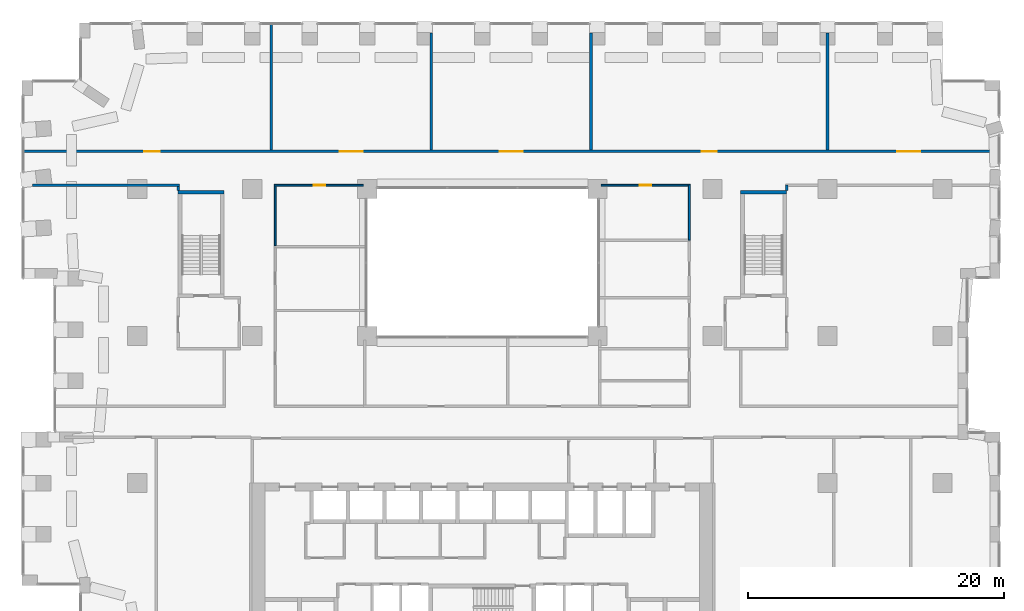
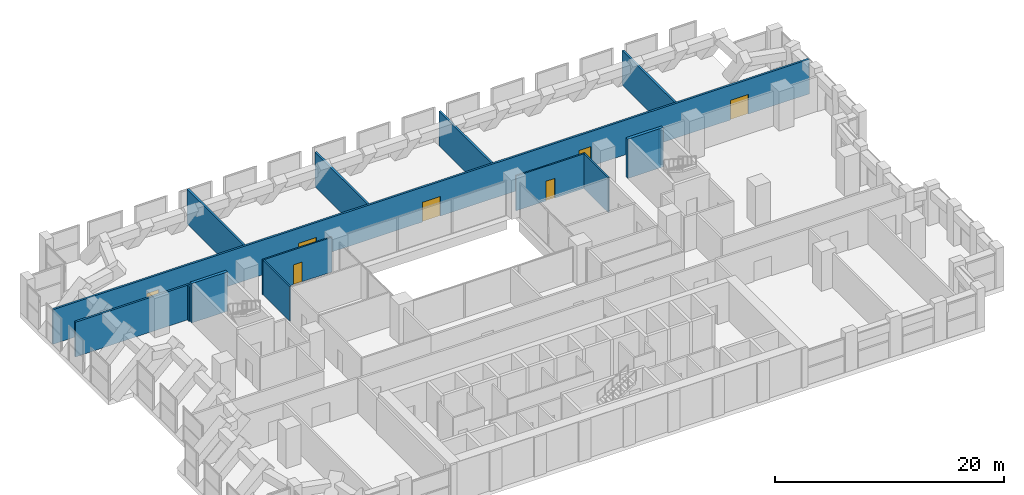
# One storey, part 18 of 20: 14 walls, 7 doors, 7 openings.
"""IFC4 building model written with IfcOpenShell, lengths in metres."""

from ifc_helpers import new_model, si_unit, direction, frame, frame_2d, origin, place, context, subcontext, project, spatial, rectangle, extrude, material, layer, layer_set, type_object, element, fill, save


model = new_model("IFC4")

# Units and contexts
model_context = context("Model", 3, precision=1e-05, world=origin(), true_north=direction((0.0, 1.0)))
body_context = subcontext(model_context, "Body", "Model", "MODEL_VIEW")
ifc_project = project(units=[si_unit("LENGTHUNIT", "METRE"), si_unit("AREAUNIT", "SQUARE_METRE"), si_unit("VOLUMEUNIT", "CUBIC_METRE"), si_unit("PLANEANGLEUNIT", "RADIAN"), si_unit("MASSUNIT", "GRAM", prefix="KILO")], contexts=[model_context])

# Site, building, storey
site_placement = place(None, origin())
site = spatial("IfcSite", under=ifc_project, at=site_placement, CompositionType="ELEMENT")
building_placement = place(site_placement, origin())
building = spatial("IfcBuilding", under=site, at=building_placement, Name="Brigalow Station Residences", CompositionType="ELEMENT")
storey_placement = place(building_placement, frame((0.0, 0.0, 73.050048828125)))
storey = spatial("IfcBuildingStorey", under=building, at=storey_placement, Name="L21", CompositionType="ELEMENT", Elevation=73.050048828125)

# Walls
ifc_material_1 = material(Name="Concrete C80", Category="concrete")
ifc_layer_1 = layer(ifc_material_1, 0.300048828125)
ifc_layer_set_1 = layer_set([ifc_layer_1], Name="CORE SHEAR WALL 300 C80")
wall_type_1 = type_object("IfcWallType", Name="CORE SHEAR WALL 300 C80", PredefinedType="SHEAR", material=ifc_layer_set_1)
for number, where, z_axis, x_axis, name in (
    (1, (12.199951171875, 35.25, 0.0), (0.0, 0.0, 1.0), (1.0, 0.0, 0.0), "CORE WALL ST-S1-N L21"),
    (2, (56.199951171875, 35.25, 0.0), (0.0, 0.0, 1.0), (1.0, 0.0, 0.0), "CORE WALL ST-S3-N L21"),
):
    element("IfcWall", number, at=place(storey_placement, frame(where, z_axis=z_axis, x_axis=x_axis)), inside=storey, type_object=wall_type_1, Name=name, PredefinedType="SHEAR", context=body_context, shape_type="SweptSolid", body=[
        extrude(rectangle(XDim=3.60009765625, YDim=0.300048828125, at=frame_2d((1.800048828125, 0.0))), origin(), (0.0, 0.0, 1.0), 4.199951171875),
    ])
ifc_material_2 = material(Name="Concrete blockwork", Category="masonry")
ifc_layer_2 = layer(ifc_material_2, 0.199951171875)
ifc_layer_set_2 = layer_set([ifc_layer_2], Name="FIRE RATED CORE PARTITION 200")
wall_type_2 = type_object("IfcWallType", Name="FIRE RATED CORE PARTITION 200", PredefinedType="PARTITIONING", material=ifc_layer_set_2)
wall_1_placement = place(storey_placement, frame((0.800048828125, 35.800048828125, 0.0), z_axis=(0.0, 0.0, 1.0), x_axis=(1.0, 0.0, 0.0)))
element("IfcWall", 3, at=wall_1_placement, inside=storey, type_object=wall_type_2, Name="PW-5171", PredefinedType="PARTITIONING", context=body_context, shape_type="SweptSolid", body=[
    extrude(rectangle(XDim=11.5, YDim=0.199951171875, at=frame_2d((5.75, 0.0))), origin(), (0.0, 0.0, 1.0), 3.699951171875),
])

# Wall, openings, doors
wall_2_placement = place(storey_placement, frame((0.090087890625, 38.449951171875, 0.0), z_axis=(0.0, 0.0, 1.0), x_axis=(1.0, 0.0, 0.0)))
wall_2 = element("IfcWall", 4, at=wall_2_placement, inside=storey, type_object=wall_type_2, Name="PW-5175", PredefinedType="PARTITIONING", context=body_context, shape_type="SweptSolid", body=[
    extrude(rectangle(XDim=76.31982421875, YDim=0.199951171875, at=frame_2d((38.159912109375, 0.0))), origin(), (0.0, 0.0, 1.0), 3.699951171875),
])
opening_1_placement = place(wall_2_placement, frame((9.4599609375, 0.0, 0.0)))
opening_1 = element("IfcOpeningElement", 5, at=opening_1_placement, cuts=wall_2, Name="Opening D-5103", PredefinedType="OPENING", context=body_context, shape_type="SweptSolid", body=[
    extrude(rectangle(XDim=1.199951171875, YDim=2.10009765625, at=frame_2d((0.60009765625, 1.050048828125))), frame((0.0, 0.10986328125, 0.0), z_axis=(0.0, -1.0, 0.0), x_axis=(1.0, 0.0, 0.0)), (0.0, 0.0, 1.0), 0.219970703125),
])
opening_2_placement = place(wall_2_placement, frame((24.760009765625, 0.0, 0.0)))
opening_2 = element("IfcOpeningElement", 6, at=opening_2_placement, cuts=wall_2, Name="Opening D-5104", PredefinedType="OPENING", context=body_context, shape_type="SweptSolid", body=[
    extrude(rectangle(XDim=1.800048828125, YDim=2.10009765625, at=frame_2d((0.89990234375, 1.050048828125))), frame((0.0, 0.10986328125, 0.0), z_axis=(0.0, -1.0, 0.0), x_axis=(1.0, 0.0, 0.0)), (0.0, 0.0, 1.0), 0.219970703125),
])
opening_3_placement = place(wall_2_placement, frame((37.260009765625, 0.0, 0.0)))
opening_3 = element("IfcOpeningElement", 7, at=opening_3_placement, cuts=wall_2, Name="Opening D-5105", PredefinedType="OPENING", context=body_context, shape_type="SweptSolid", body=[
    extrude(rectangle(XDim=1.800048828125, YDim=2.10009765625, at=frame_2d((0.89990234375, 1.050048828125))), frame((0.0, 0.10986328125, 0.0), z_axis=(0.0, -1.0, 0.0), x_axis=(1.0, 0.0, 0.0)), (0.0, 0.0, 1.0), 0.219970703125),
])
opening_4_placement = place(wall_2_placement, frame((53.06005859375, 0.0, 0.0)))
opening_4 = element("IfcOpeningElement", 8, at=opening_4_placement, cuts=wall_2, Name="Opening D-5106", PredefinedType="OPENING", context=body_context, shape_type="SweptSolid", body=[
    extrude(rectangle(XDim=1.199951171875, YDim=2.10009765625, at=frame_2d((0.60009765625, 1.050048828125))), frame((0.0, 0.10986328125, 0.0), z_axis=(0.0, -1.0, 0.0), x_axis=(1.0, 0.0, 0.0)), (0.0, 0.0, 1.0), 0.219970703125),
])
opening_5_placement = place(wall_2_placement, frame((68.360107421875, 0.0, 0.0)))
opening_5 = element("IfcOpeningElement", 9, at=opening_5_placement, cuts=wall_2, Name="Opening D-5107", PredefinedType="OPENING", context=body_context, shape_type="SweptSolid", body=[
    extrude(rectangle(XDim=1.800048828125, YDim=2.10009765625, at=frame_2d((0.89990234375, 1.050048828125))), frame((0.0, 0.10986328125, 0.0), z_axis=(0.0, -1.0, 0.0), x_axis=(1.0, 0.0, 0.0)), (0.0, 0.0, 1.0), 0.219970703125),
])
ifc_material_3 = material(Name="Steel fire door leaf in steel frame", Category="steel")
door_type_1 = type_object("IfcDoorType", Name="PLANT ROOM DOOR 1800 x 2100 FD60", OperationType="DOUBLE_DOOR_SINGLE_SWING", PredefinedType="DOOR", material=ifc_material_3)
door_1_placement = place(opening_2_placement, origin())
door_1 = element("IfcDoor", 10, at=door_1_placement, inside=storey, type_object=door_type_1, Name="D-5104", OperationType="DOUBLE_DOOR_SINGLE_SWING", OverallHeight=2.10009765625, OverallWidth=1.800048828125, PredefinedType="DOOR", context=body_context, shape_type="SweptSolid", body=[
    extrude(rectangle(XDim=1.800048828125, YDim=2.10009765625, at=frame_2d((0.89990234375, 1.050048828125))), frame((0.0, 0.02490234375, 0.0), z_axis=(0.0, -1.0, 0.0), x_axis=(1.0, 0.0, 0.0)), (0.0, 0.0, 1.0), 0.050048828125),
])
fill(opening_2, door_1)
door_2_placement = place(opening_3_placement, origin())
door_2 = element("IfcDoor", 11, at=door_2_placement, inside=storey, type_object=door_type_1, Name="D-5105", OperationType="DOUBLE_DOOR_SINGLE_SWING", OverallHeight=2.10009765625, OverallWidth=1.800048828125, PredefinedType="DOOR", context=body_context, shape_type="SweptSolid", body=[
    extrude(rectangle(XDim=1.800048828125, YDim=2.10009765625, at=frame_2d((0.89990234375, 1.050048828125))), frame((0.0, 0.02490234375, 0.0), z_axis=(0.0, -1.0, 0.0), x_axis=(1.0, 0.0, 0.0)), (0.0, 0.0, 1.0), 0.050048828125),
])
fill(opening_3, door_2)
door_3_placement = place(opening_5_placement, origin())
door_3 = element("IfcDoor", 12, at=door_3_placement, inside=storey, type_object=door_type_1, Name="D-5107", OperationType="DOUBLE_DOOR_SINGLE_SWING", OverallHeight=2.10009765625, OverallWidth=1.800048828125, PredefinedType="DOOR", context=body_context, shape_type="SweptSolid", body=[
    extrude(rectangle(XDim=1.800048828125, YDim=2.10009765625, at=frame_2d((0.89990234375, 1.050048828125))), frame((0.0, 0.02490234375, 0.0), z_axis=(0.0, -1.0, 0.0), x_axis=(1.0, 0.0, 0.0)), (0.0, 0.0, 1.0), 0.050048828125),
])
fill(opening_5, door_3)
ifc_material_4 = material(Name="Steel fire door leaves in steel frame", Category="steel")
door_type_2 = type_object("IfcDoorType", Name="REFUGE AREA DOOR 1200 x 2100 FD60S", OperationType="SINGLE_SWING_LEFT", PredefinedType="DOOR", material=ifc_material_4)
door_4_placement = place(opening_1_placement, origin())
door_4 = element("IfcDoor", 13, at=door_4_placement, inside=storey, type_object=door_type_2, Name="D-5103", OperationType="SINGLE_SWING_RIGHT", OverallHeight=2.10009765625, OverallWidth=1.199951171875, PredefinedType="DOOR", context=body_context, shape_type="SweptSolid", body=[
    extrude(rectangle(XDim=1.199951171875, YDim=2.10009765625, at=frame_2d((0.60009765625, 1.050048828125))), frame((0.0, 0.02490234375, 0.0), z_axis=(0.0, -1.0, 0.0), x_axis=(1.0, 0.0, 0.0)), (0.0, 0.0, 1.0), 0.050048828125),
])
fill(opening_1, door_4)
door_5_placement = place(opening_4_placement, origin())
door_5 = element("IfcDoor", 14, at=door_5_placement, inside=storey, type_object=door_type_2, Name="D-5106", OperationType="SINGLE_SWING_RIGHT", OverallHeight=2.10009765625, OverallWidth=1.199951171875, PredefinedType="DOOR", context=body_context, shape_type="SweptSolid", body=[
    extrude(rectangle(XDim=1.199951171875, YDim=2.10009765625, at=frame_2d((0.60009765625, 1.050048828125))), frame((0.0, 0.02490234375, 0.0), z_axis=(0.0, -1.0, 0.0), x_axis=(1.0, 0.0, 0.0)), (0.0, 0.0, 1.0), 0.050048828125),
])
fill(opening_4, door_5)

# Walls
wall_3_placement = place(storey_placement, frame((12.199951171875, 35.39990234375, 0.0), z_axis=(0.0, 0.0, 1.0), x_axis=(0.0, 1.0, 0.0)))
element("IfcWall", 15, at=wall_3_placement, inside=storey, type_object=wall_type_2, Name="PW-5102", PredefinedType="PARTITIONING", context=body_context, shape_type="SweptSolid", body=[
    extrude(rectangle(XDim=0.300048828125, YDim=0.199951171875, at=frame_2d((0.14990234375, 0.0))), origin(), (0.0, 0.0, 1.0), 3.699951171875),
])
wall_4_placement = place(storey_placement, frame((59.800048828125, 35.39990234375, 0.0), z_axis=(0.0, 0.0, 1.0), x_axis=(0.0, 1.0, 0.0)))
element("IfcWall", 16, at=wall_4_placement, inside=storey, type_object=wall_type_2, Name="PW-5103", PredefinedType="PARTITIONING", context=body_context, shape_type="SweptSolid", body=[
    extrude(rectangle(XDim=0.400146484375, YDim=0.199951171875, at=frame_2d((0.2001953125, 0.0))), origin(), (0.0, 0.0, 1.0), 3.699951171875),
])
wall_5_placement = place(storey_placement, frame((19.5, 38.550048828125, 0.0), z_axis=(0.0, 0.0, 1.0), x_axis=(0.0, 1.0, 0.0)))
element("IfcWall", 17, at=wall_5_placement, inside=storey, type_object=wall_type_2, Name="PW-5191", PredefinedType="PARTITIONING", context=body_context, shape_type="SweptSolid", body=[
    extrude(rectangle(XDim=9.85986328125, YDim=0.199951171875, at=frame_2d((4.929931640625, 0.0))), origin(), (0.0, 0.0, 1.0), 3.699951171875),
])
for number, where, z_axis, x_axis, name in (
    (18, (32.0, 38.550048828125, 0.0), (0.0, 0.0, 1.0), (0.0, 1.0, 0.0), "PW-5192"),
    (19, (44.5, 38.550048828125, 0.0), (0.0, 0.0, 1.0), (0.0, 1.0, 0.0), "PW-5193"),
    (20, (63.0, 38.550048828125, 0.0), (0.0, 0.0, 1.0), (0.0, 1.0, 0.0), "PW-5194"),
):
    element("IfcWall", number, at=place(storey_placement, frame(where, z_axis=z_axis, x_axis=x_axis)), inside=storey, type_object=wall_type_2, Name=name, PredefinedType="PARTITIONING", context=body_context, shape_type="SweptSolid", body=[
        extrude(rectangle(XDim=9.14990234375, YDim=0.199951171875, at=frame_2d((4.574951171875, 0.0))), origin(), (0.0, 0.0, 1.0), 3.699951171875),
    ])

# Wall, opening, door
ifc_material_5 = material(Name="Plasterboard on steel studs", Category="steel")
ifc_layer_3 = layer(ifc_material_5, 0.14990234375)
ifc_layer_set_3 = layer_set([ifc_layer_3], Name="SERVICE ROOM PARTITION 150")
wall_type_3 = type_object("IfcWallType", Name="SERVICE ROOM PARTITION 150", PredefinedType="PARTITIONING", material=ifc_layer_set_3)
wall_6_placement = place(storey_placement, frame((19.72509765625, 35.800048828125, 0.0), z_axis=(0.0, 0.0, 1.0), x_axis=(1.0, 0.0, 0.0)))
wall_6 = element("IfcWall", 21, at=wall_6_placement, inside=storey, type_object=wall_type_3, Name="PW-5173", PredefinedType="PARTITIONING", context=body_context, shape_type="SweptSolid", body=[
    extrude(rectangle(XDim=6.974853515625, YDim=0.14990234375, at=frame_2d((3.4873046875, 0.0))), origin(), (0.0, 0.0, 1.0), 3.699951171875),
])
opening_6_placement = place(wall_6_placement, frame((3.074951171875, 0.0, 0.0)))
opening_6 = element("IfcOpeningElement", 22, at=opening_6_placement, cuts=wall_6, Name="Opening D-5095", PredefinedType="OPENING", context=body_context, shape_type="SweptSolid", body=[
    extrude(rectangle(XDim=0.89990234375, YDim=2.10009765625, at=frame_2d((0.449951171875, 1.050048828125))), frame((0.0, 0.0849609375, 0.0), z_axis=(0.0, -1.0, 0.0), x_axis=(1.0, 0.0, 0.0)), (0.0, 0.0, 1.0), 0.169921875),
])
ifc_material_6 = material(Name="Steel door leaf in steel frame", Category="steel")
door_type_3 = type_object("IfcDoorType", Name="SERVICE ROOM DOOR 900 x 2100 FD60", OperationType="SINGLE_SWING_LEFT", PredefinedType="DOOR", material=ifc_material_6)
door_6_placement = place(opening_6_placement, frame((0.89990234375, 0.0, 0.0), z_axis=(0.0, 0.0, 1.0), x_axis=(-1.0, 0.0, 0.0)))
door_6 = element("IfcDoor", 23, at=door_6_placement, inside=storey, type_object=door_type_3, Name="D-5095", OperationType="SINGLE_SWING_RIGHT", OverallHeight=2.10009765625, OverallWidth=0.89990234375, PredefinedType="DOOR", context=body_context, shape_type="SweptSolid", body=[
    extrude(rectangle(XDim=0.89990234375, YDim=2.10009765625, at=frame_2d((0.449951171875, 1.050048828125))), frame((0.0, 0.02490234375, 0.0), z_axis=(0.0, -1.0, 0.0), x_axis=(1.0, 0.0, 0.0)), (0.0, 0.0, 1.0), 0.050048828125),
])
fill(opening_6, door_6)

wall_7_placement = place(storey_placement, frame((45.300048828125, 35.800048828125, 0.0), z_axis=(0.0, 0.0, 1.0), x_axis=(1.0, 0.0, 0.0)))
wall_7 = element("IfcWall", 24, at=wall_7_placement, inside=storey, type_object=wall_type_3, Name="PW-5174", PredefinedType="PARTITIONING", context=body_context, shape_type="SweptSolid", body=[
    extrude(rectangle(XDim=6.974853515625, YDim=0.14990234375, at=frame_2d((3.4873046875, 0.0))), origin(), (0.0, 0.0, 1.0), 3.699951171875),
])
opening_7_placement = place(wall_7_placement, frame((3.0, 0.0, 0.0)))
opening_7 = element("IfcOpeningElement", 25, at=opening_7_placement, cuts=wall_7, Name="Opening D-5100", PredefinedType="OPENING", context=body_context, shape_type="SweptSolid", body=[
    extrude(rectangle(XDim=0.89990234375, YDim=2.10009765625, at=frame_2d((0.449951171875, 1.050048828125))), frame((0.0, 0.0849609375, 0.0), z_axis=(0.0, -1.0, 0.0), x_axis=(1.0, 0.0, 0.0)), (0.0, 0.0, 1.0), 0.169921875),
])
door_7_placement = place(opening_7_placement, frame((0.89990234375, 0.0, 0.0), z_axis=(0.0, 0.0, 1.0), x_axis=(-1.0, 0.0, 0.0)))
door_7 = element("IfcDoor", 26, at=door_7_placement, inside=storey, type_object=door_type_3, Name="D-5100", OperationType="SINGLE_SWING_LEFT", OverallHeight=2.10009765625, OverallWidth=0.89990234375, PredefinedType="DOOR", context=body_context, shape_type="SweptSolid", body=[
    extrude(rectangle(XDim=0.89990234375, YDim=2.10009765625, at=frame_2d((0.449951171875, 1.050048828125))), frame((0.0, 0.02490234375, 0.0), z_axis=(0.0, -1.0, 0.0), x_axis=(1.0, 0.0, 0.0)), (0.0, 0.0, 1.0), 0.050048828125),
])
fill(opening_7, door_7)

# Walls
wall_8_placement = place(storey_placement, frame((19.800048828125, 31.074951171875, 0.0), z_axis=(0.0, 0.0, 1.0), x_axis=(0.0, 1.0, 0.0)))
element("IfcWall", 27, at=wall_8_placement, inside=storey, type_object=wall_type_3, Name="PW-5189", PredefinedType="PARTITIONING", context=body_context, shape_type="SweptSolid", body=[
    extrude(rectangle(XDim=4.650146484375, YDim=0.14990234375, at=frame_2d((2.3251953125, 0.0))), origin(), (0.0, 0.0, 1.0), 3.699951171875),
])
wall_9_placement = place(storey_placement, frame((52.199951171875, 31.5, 0.0), z_axis=(0.0, 0.0, 1.0), x_axis=(0.0, 1.0, 0.0)))
element("IfcWall", 28, at=wall_9_placement, inside=storey, type_object=wall_type_3, Name="PW-5190", PredefinedType="PARTITIONING", context=body_context, shape_type="SweptSolid", body=[
    extrude(rectangle(XDim=4.300048828125, YDim=0.14990234375, at=frame_2d((2.14990234375, 0.0))), origin(), (0.0, 0.0, 1.0), 3.699951171875),
])

save(model, "model.ifc")
